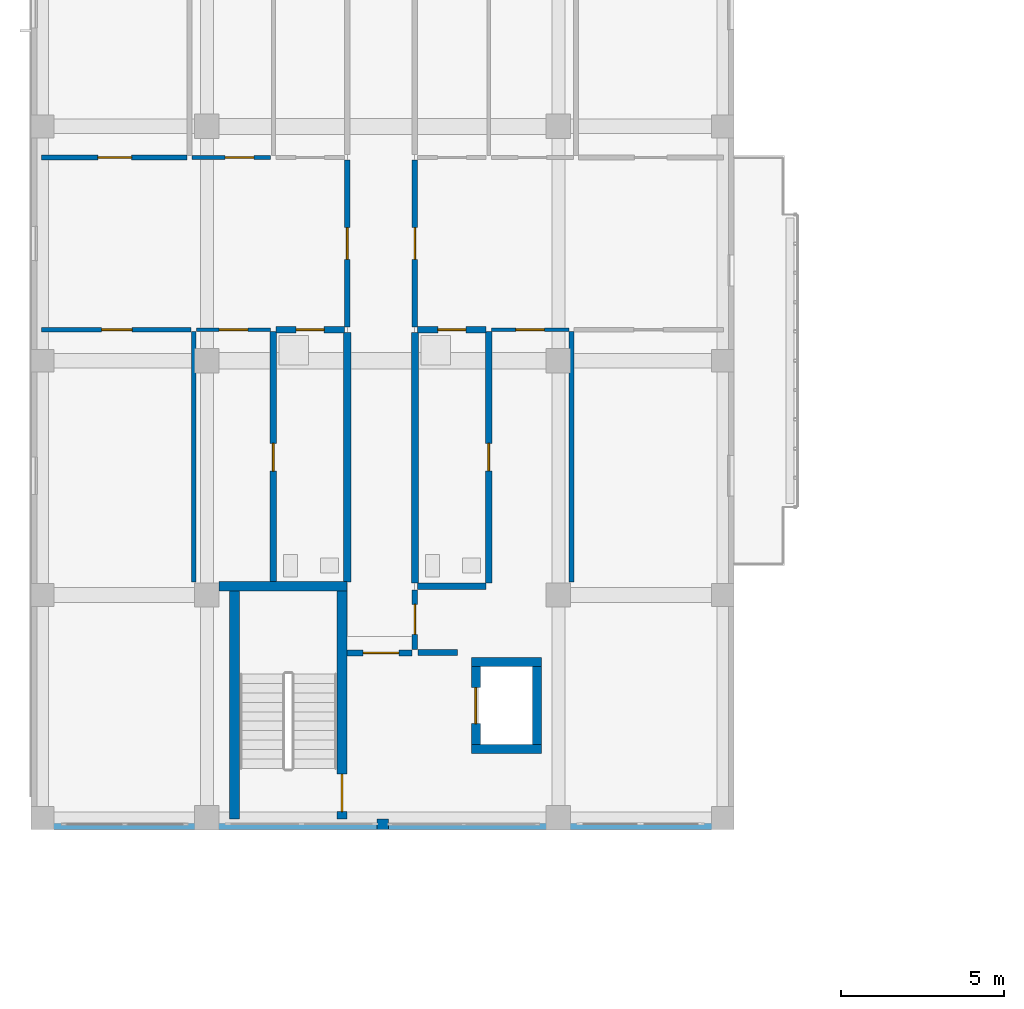
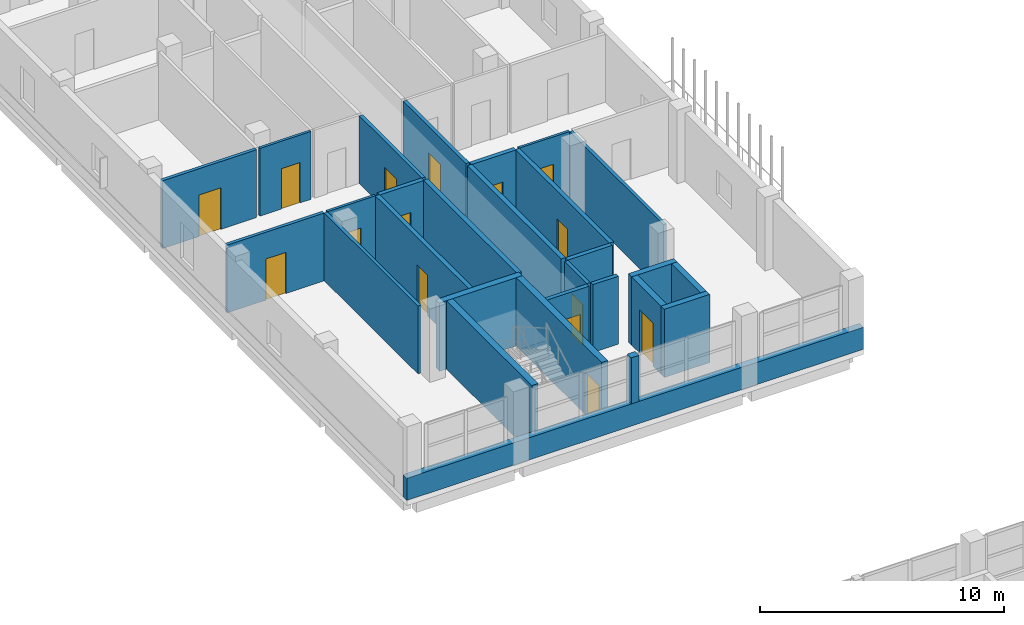
# One storey, part 41 of 73: 28 walls, 15 doors, 15 openings.
"""IFC4 building model written with IfcOpenShell, lengths in metres."""

from ifc_helpers import new_model, si_unit, derived_unit, direction, frame, frame_2d, origin, place, context, subcontext, project, spatial, rectangle, extrude, material, layer, layer_set, type_object, element, fill, save


model = new_model("IFC4")

# Units and contexts
model_context = context("Model", 3, precision=1e-05, world=origin(), true_north=direction((0.0, 1.0)))
body_context = subcontext(model_context, "Body", "Model", "MODEL_VIEW")
ifc_project = project(units=[si_unit("LENGTHUNIT", "METRE"), si_unit("AREAUNIT", "SQUARE_METRE"), si_unit("VOLUMEUNIT", "CUBIC_METRE"), si_unit("PLANEANGLEUNIT", "RADIAN"), si_unit("MASSUNIT", "GRAM", prefix="KILO"), derived_unit("THERMALTRANSMITTANCEUNIT", [(si_unit("MASSUNIT", "GRAM", prefix="KILO"), 1), (si_unit("TIMEUNIT", "SECOND"), -3), (si_unit("THERMODYNAMICTEMPERATUREUNIT", "KELVIN"), -1)])], contexts=[model_context])

# Site, building, storey
site_placement = place(None, origin())
site = spatial("IfcSite", under=ifc_project, at=site_placement, CompositionType="ELEMENT")
building_placement = place(site_placement, origin())
building = spatial("IfcBuilding", under=site, at=building_placement, Name="Ochrekiln Boulevard Commons", CompositionType="ELEMENT")
storey_placement = place(building_placement, frame((0.0, 0.0, 4.89990234375)))
storey = spatial("IfcBuildingStorey", under=building, at=storey_placement, Name="L01", CompositionType="ELEMENT", Elevation=4.89990234375)

# Walls
ifc_material_1 = material(Name="Desert ochre clinker brick masonry ASTM C216 Grade SW", Category="masonry")
ifc_layer_1 = layer(ifc_material_1, 0.320068359375)
ifc_layer_set_1 = layer_set([ifc_layer_1], Name="Desert ochre clinker brick masonry ASTM C216 Grade SW")
wall_type_1 = type_object("IfcWallType", Name="WL-EXT-OCHRE-320", PredefinedType="SOLIDWALL", material=ifc_layer_set_1)
wall_1_placement = place(storey_placement, frame((0.0, 68.56005859375, 0.0), z_axis=(0.0, 0.0, 1.0), x_axis=(1.0, 0.0, 0.0)))
element("IfcWall", 1, at=wall_1_placement, inside=storey, type_object=wall_type_1, Name="Block A L01 Courtyard Gable Sill Wall", PredefinedType="SOLIDWALL", context=body_context, shape_type="SweptSolid", body=[
    extrude(rectangle(XDim=21.60009765625, YDim=0.320068359375, at=frame_2d((10.800048828125, 0.0))), origin(), (0.0, 0.0, 1.0), 1.110107421875),
])
wall_2_placement = place(storey_placement, frame((10.6201171875, 68.56005859375, 1.110107421875), z_axis=(0.0, 0.0, 1.0), x_axis=(1.0, 0.0, 0.0)))
element("IfcWall", 2, at=wall_2_placement, inside=storey, type_object=wall_type_1, Name="Block A L01 Courtyard Gable Mullion Pier", PredefinedType="SOLIDWALL", context=body_context, shape_type="SweptSolid", body=[
    extrude(rectangle(XDim=0.35986328125, YDim=0.320068359375, at=frame_2d((0.179931640625, 0.0))), origin(), (0.0, 0.0, 1.0), 2.304931640625),
])
ifc_material_2 = material(Name="Moisture-resistant cementitious tile backer wall")
ifc_layer_2 = layer(ifc_material_2, 0.199951171875)
ifc_layer_set_2 = layer_set([ifc_layer_2], Name="Moisture-resistant cementitious tile backer wall")
wall_type_2 = type_object("IfcWallType", Name="WL-PLM-200", PredefinedType="PLUMBINGWALL", material=ifc_layer_set_2)
wall_3_placement = place(storey_placement, frame((11.8720703125, 75.875, 0.0), z_axis=(0.0, 0.0, 1.0), x_axis=(1.0, 0.0, 0.0)))
element("IfcWall", 3, at=wall_3_placement, inside=storey, type_object=wall_type_2, Name="L01 Interior Wall W-PW200", PredefinedType="PLUMBINGWALL", context=body_context, shape_type="SweptSolid", body=[
    extrude(rectangle(XDim=2.10791015625, YDim=0.199951171875, at=frame_2d((1.053955078125, 0.0))), origin(), (0.0, 0.0, 1.0), 3.39501953125),
])

# Wall, opening, door
wall_4_placement = place(storey_placement, frame((7.52001953125, 83.75, 0.0), z_axis=(0.0, 0.0, 1.0), x_axis=(1.0, 0.0, 0.0)))
wall_4 = element("IfcWall", 4, at=wall_4_placement, inside=storey, type_object=wall_type_2, Name="L01 Interior Wall W-PW200", PredefinedType="PLUMBINGWALL", context=body_context, shape_type="SweptSolid", body=[
    extrude(rectangle(XDim=2.10791015625, YDim=0.199951171875, at=frame_2d((1.053955078125, 0.0))), origin(), (0.0, 0.0, 1.0), 3.39501953125),
])
opening_1_placement = place(wall_4_placement, frame((0.6201171875, 0.0, 0.0)))
opening_1 = element("IfcOpeningElement", 5, at=opening_1_placement, cuts=wall_4, Name="Opening D-L01-155", PredefinedType="OPENING", context=body_context, shape_type="SweptSolid", body=[
    extrude(rectangle(XDim=0.860107421875, YDim=2.0, at=frame_2d((0.43017578125, 1.0))), frame((0.0, 0.10986328125, 0.0), z_axis=(0.0, -1.0, 0.0), x_axis=(1.0, 0.0, 0.0)), (0.0, 0.0, 1.0), 0.219970703125),
])
ifc_material_3 = material(Name="Solid core architectural oak door leaf")
door_type_1 = type_object("IfcDoorType", Name="DR-INT-BTH-086", OperationType="NOTDEFINED", PredefinedType="DOOR", material=ifc_material_3)
door_1_placement = place(opening_1_placement, frame((0.860107421875, 0.0, 0.0), z_axis=(0.0, 0.0, 1.0), x_axis=(-1.0, 0.0, 0.0)))
door_1 = element("IfcDoor", 6, at=door_1_placement, inside=storey, type_object=door_type_1, Name="L01 Interior Door to Accessible Apartment Bathroom", OperationType="SINGLE_SWING_LEFT", OverallHeight=2.0, OverallWidth=0.860107421875, PredefinedType="DOOR", context=body_context, shape_type="SweptSolid", body=[
    extrude(rectangle(XDim=0.860107421875, YDim=2.0, at=frame_2d((0.43017578125, 1.0))), frame((0.0, 0.02490234375, 0.0), z_axis=(0.0, -1.0, 0.0), x_axis=(1.0, 0.0, 0.0)), (0.0, 0.0, 1.0), 0.050048828125),
])
fill(opening_1, door_1)

wall_5_placement = place(storey_placement, frame((7.43994140625, 76.0, 0.0), z_axis=(0.0, 0.0, 1.0), x_axis=(0.0, 1.0, 0.0)))
wall_5 = element("IfcWall", 7, at=wall_5_placement, inside=storey, type_object=wall_type_2, Name="L01 Interior Wall W-PW200", PredefinedType="PLUMBINGWALL", context=body_context, shape_type="SweptSolid", body=[
    extrude(rectangle(XDim=7.68994140625, YDim=0.199951171875, at=frame_2d((3.844970703125, 0.0))), origin(), (0.0, 0.0, 1.0), 3.39501953125),
])
opening_2_placement = place(wall_5_placement, frame((3.409912109375, 0.0, 0.0)))
opening_2 = element("IfcOpeningElement", 8, at=opening_2_placement, cuts=wall_5, Name="Opening D-L01-161", PredefinedType="OPENING", context=body_context, shape_type="SweptSolid", body=[
    extrude(rectangle(XDim=0.85009765625, YDim=2.010009765625, at=frame_2d((0.425048828125, 1.0048828125))), frame((0.0, 0.10986328125, 0.0), z_axis=(0.0, -1.0, 0.0), x_axis=(1.0, 0.0, 0.0)), (0.0, 0.0, 1.0), 0.219970703125),
])
door_type_2 = type_object("IfcDoorType", Name="DR-INT-KIT-085", OperationType="NOTDEFINED", PredefinedType="DOOR", material=ifc_material_3)
door_2_placement = place(opening_2_placement, frame((0.85009765625, 0.0, 0.0), z_axis=(0.0, 0.0, 1.0), x_axis=(-1.0, 0.0, 0.0)))
door_2 = element("IfcDoor", 9, at=door_2_placement, inside=storey, type_object=door_type_2, Name="L01 Interior Door to Accessible Apartment Bathroom", OperationType="SINGLE_SWING_LEFT", OverallHeight=2.010009765625, OverallWidth=0.85009765625, PredefinedType="DOOR", context=body_context, shape_type="SweptSolid", body=[
    extrude(rectangle(XDim=0.85009765625, YDim=2.010009765625, at=frame_2d((0.425048828125, 1.0048828125))), frame((0.0, 0.02490234375, 0.0), z_axis=(0.0, -1.0, 0.0), x_axis=(1.0, 0.0, 0.0)), (0.0, 0.0, 1.0), 0.050048828125),
])
fill(opening_2, door_2)

wall_6_placement = place(storey_placement, frame((11.8720703125, 83.75, 0.0), z_axis=(0.0, 0.0, 1.0), x_axis=(1.0, 0.0, 0.0)))
wall_6 = element("IfcWall", 10, at=wall_6_placement, inside=storey, type_object=wall_type_2, Name="L01 Interior Wall W-PW200", PredefinedType="PLUMBINGWALL", context=body_context, shape_type="SweptSolid", body=[
    extrude(rectangle(XDim=2.10791015625, YDim=0.199951171875, at=frame_2d((1.053955078125, 0.0))), origin(), (0.0, 0.0, 1.0), 3.39501953125),
])
opening_3_placement = place(wall_6_placement, frame((0.6279296875, 0.0, 0.0)))
opening_3 = element("IfcOpeningElement", 11, at=opening_3_placement, cuts=wall_6, Name="Opening D-L01-166", PredefinedType="OPENING", context=body_context, shape_type="SweptSolid", body=[
    extrude(rectangle(XDim=0.860107421875, YDim=2.0, at=frame_2d((0.43017578125, 1.0))), frame((0.0, 0.10986328125, 0.0), z_axis=(0.0, -1.0, 0.0), x_axis=(1.0, 0.0, 0.0)), (0.0, 0.0, 1.0), 0.219970703125),
])
door_3_placement = place(opening_3_placement, frame((0.860107421875, 0.0, 0.0), z_axis=(0.0, 0.0, 1.0), x_axis=(-1.0, 0.0, 0.0)))
door_3 = element("IfcDoor", 12, at=door_3_placement, inside=storey, type_object=door_type_1, Name="L01 Interior Door to Apartment Bathroom", OperationType="SINGLE_SWING_RIGHT", OverallHeight=2.0, OverallWidth=0.860107421875, PredefinedType="DOOR", context=body_context, shape_type="SweptSolid", body=[
    extrude(rectangle(XDim=0.860107421875, YDim=2.0, at=frame_2d((0.43017578125, 1.0))), frame((0.0, 0.02490234375, 0.0), z_axis=(0.0, -1.0, 0.0), x_axis=(1.0, 0.0, 0.0)), (0.0, 0.0, 1.0), 0.050048828125),
])
fill(opening_3, door_3)

wall_7_placement = place(storey_placement, frame((14.06005859375, 75.97509765625, 0.0), z_axis=(0.0, 0.0, 1.0), x_axis=(0.0, 1.0, 0.0)))
wall_7 = element("IfcWall", 13, at=wall_7_placement, inside=storey, type_object=wall_type_2, Name="L01 Interior Wall W-PW200", PredefinedType="PLUMBINGWALL", context=body_context, shape_type="SweptSolid", body=[
    extrude(rectangle(XDim=7.71484375, YDim=0.199951171875, at=frame_2d((3.857421875, 0.0))), origin(), (0.0, 0.0, 1.0), 3.39501953125),
])
opening_4_placement = place(wall_7_placement, frame((3.43505859375, 0.0, 0.0)))
opening_4 = element("IfcOpeningElement", 14, at=opening_4_placement, cuts=wall_7, Name="Opening D-L01-172", PredefinedType="OPENING", context=body_context, shape_type="SweptSolid", body=[
    extrude(rectangle(XDim=0.85009765625, YDim=2.010009765625, at=frame_2d((0.425048828125, 1.0048828125))), frame((0.0, 0.10986328125, 0.0), z_axis=(0.0, -1.0, 0.0), x_axis=(1.0, 0.0, 0.0)), (0.0, 0.0, 1.0), 0.219970703125),
])
door_4_placement = place(opening_4_placement, origin())
door_4 = element("IfcDoor", 15, at=door_4_placement, inside=storey, type_object=door_type_2, Name="L01 Interior Door to Apartment Bathroom", OperationType="SINGLE_SWING_RIGHT", OverallHeight=2.010009765625, OverallWidth=0.85009765625, PredefinedType="DOOR", context=body_context, shape_type="SweptSolid", body=[
    extrude(rectangle(XDim=0.85009765625, YDim=2.010009765625, at=frame_2d((0.425048828125, 1.0048828125))), frame((0.0, 0.02490234375, 0.0), z_axis=(0.0, -1.0, 0.0), x_axis=(1.0, 0.0, 0.0)), (0.0, 0.0, 1.0), 0.050048828125),
])
fill(opening_4, door_4)

# Walls
ifc_layer_3 = layer(ifc_material_2, 0.219970703125)
ifc_layer_set_3 = layer_set([ifc_layer_3], Name="Moisture-resistant cementitious tile backer wall")
wall_type_3 = type_object("IfcWallType", Name="WL-PLM-220", PredefinedType="PLUMBINGWALL", material=ifc_layer_set_3)
wall_8_placement = place(storey_placement, frame((9.7099609375, 76.0, 0.0), z_axis=(0.0, 0.0, 1.0), x_axis=(0.0, 1.0, 0.0)))
element("IfcWall", 16, at=wall_8_placement, inside=storey, type_object=wall_type_3, Name="L01 Interior Wall W-PW220", PredefinedType="PLUMBINGWALL", context=body_context, shape_type="SweptSolid", body=[
    extrude(rectangle(XDim=7.669921875, YDim=0.219970703125, at=frame_2d((3.8349609375, 0.0))), origin(), (0.0, 0.0, 1.0), 3.39501953125),
])
wall_9_placement = place(storey_placement, frame((11.7900390625, 75.97509765625, 0.0), z_axis=(0.0, 0.0, 1.0), x_axis=(0.0, 1.0, 0.0)))
element("IfcWall", 17, at=wall_9_placement, inside=storey, type_object=wall_type_3, Name="L01 Interior Wall W-PW220", PredefinedType="PLUMBINGWALL", context=body_context, shape_type="SweptSolid", body=[
    extrude(rectangle(XDim=7.69482421875, YDim=0.219970703125, at=frame_2d((3.847412109375, 0.0))), origin(), (0.0, 0.0, 1.0), 3.39501953125),
])

# Wall, opening, door
ifc_material_4 = material(Name="Fire-rated Type X gypsum board on steel studs", Category="steel")
ifc_layer_4 = layer(ifc_material_4, 0.1650390625)
ifc_layer_set_4 = layer_set([ifc_layer_4], Name="Fire-rated Type X gypsum board on steel studs")
wall_type_4 = type_object("IfcWallType", Name="WL-PT-CORR-165", PredefinedType="PARTITIONING", material=ifc_layer_set_4)
wall_10_placement = place(storey_placement, frame((11.7900390625, 73.929931640625, 0.0), z_axis=(0.0, 0.0, 1.0), x_axis=(0.0, 1.0, 0.0)))
wall_10 = element("IfcWall", 18, at=wall_10_placement, inside=storey, type_object=wall_type_4, Name="L01 Interior Wall W-PC165", PredefinedType="PARTITIONING", context=body_context, shape_type="SweptSolid", body=[
    extrude(rectangle(XDim=1.820068359375, YDim=0.1650390625, at=frame_2d((0.91015625, 0.0))), origin(), (0.0, 0.0, 1.0), 3.39501953125),
])
opening_5_placement = place(wall_10_placement, frame((0.4599609375, 0.0, 0.0)))
opening_5 = element("IfcOpeningElement", 19, at=opening_5_placement, cuts=wall_10, Name="Opening D-L01-150", PredefinedType="OPENING", context=body_context, shape_type="SweptSolid", body=[
    extrude(rectangle(XDim=0.919921875, YDim=2.0400390625, at=frame_2d((0.4599609375, 1.02001953125))), frame((0.0, 0.092529296875, 0.0), z_axis=(0.0, -1.0, 0.0), x_axis=(1.0, 0.0, 0.0)), (0.0, 0.0, 1.0), 0.18505859375),
])
ifc_material_5 = material(Name="Hollow metal fire-rated steel door assembly", Category="steel")
door_type_3 = type_object("IfcDoorType", Name="DR-SRV-90", OperationType="NOTDEFINED", PredefinedType="DOOR", material=ifc_material_5)
door_5_placement = place(opening_5_placement, frame((0.919921875, 0.0, 0.0), z_axis=(0.0, 0.0, 1.0), x_axis=(-1.0, 0.0, 0.0)))
door_5 = element("IfcDoor", 20, at=door_5_placement, inside=storey, type_object=door_type_3, Name="L01 Interior Door to Hydronic and Electrical Riser Room", OperationType="SINGLE_SWING_RIGHT", OverallHeight=2.0400390625, OverallWidth=0.919921875, PredefinedType="DOOR", context=body_context, shape_type="SweptSolid", body=[
    extrude(rectangle(XDim=0.919921875, YDim=2.0400390625, at=frame_2d((0.4599609375, 1.02001953125))), frame((0.0, 0.02490234375, 0.0), z_axis=(0.0, -1.0, 0.0), x_axis=(1.0, 0.0, 0.0)), (0.0, 0.0, 1.0), 0.050048828125),
])
fill(opening_5, door_5)

wall_11_placement = place(storey_placement, frame((9.7099609375, 83.830078125, 0.0), z_axis=(0.0, 0.0, 1.0), x_axis=(0.0, 1.0, 0.0)))
wall_11 = element("IfcWall", 21, at=wall_11_placement, inside=storey, type_object=wall_type_4, Name="L01 Interior Wall W-PC165", PredefinedType="PARTITIONING", context=body_context, shape_type="SweptSolid", body=[
    extrude(rectangle(XDim=5.139892578125, YDim=0.1650390625, at=frame_2d((2.56982421875, 0.0))), origin(), (0.0, 0.0, 1.0), 3.39501953125),
])
opening_6_placement = place(wall_11_placement, frame((2.080078125, 0.0, 0.0)))
opening_6 = element("IfcOpeningElement", 22, at=opening_6_placement, cuts=wall_11, Name="Opening D-L01-151", PredefinedType="OPENING", context=body_context, shape_type="SweptSolid", body=[
    extrude(rectangle(XDim=0.97998046875, YDim=2.080078125, at=frame_2d((0.489990234375, 1.0400390625))), frame((0.0, 0.092529296875, 0.0), z_axis=(0.0, -1.0, 0.0), x_axis=(1.0, 0.0, 0.0)), (0.0, 0.0, 1.0), 0.18505859375),
])
door_type_4 = type_object("IfcDoorType", Name="DR-APT-60", OperationType="NOTDEFINED", PredefinedType="DOOR", material=ifc_material_3)
door_6_placement = place(opening_6_placement, origin())
door_6 = element("IfcDoor", 23, at=door_6_placement, inside=storey, type_object=door_type_4, Name="L01 Interior Door to Two-Bedroom Apartment Living Room", OperationType="SINGLE_SWING_LEFT", OverallHeight=2.080078125, OverallWidth=0.97998046875, PredefinedType="DOOR", context=body_context, shape_type="SweptSolid", body=[
    extrude(rectangle(XDim=0.97998046875, YDim=2.080078125, at=frame_2d((0.489990234375, 1.0400390625))), frame((0.0, 0.02490234375, 0.0), z_axis=(0.0, -1.0, 0.0), x_axis=(1.0, 0.0, 0.0)), (0.0, 0.0, 1.0), 0.050048828125),
])
fill(opening_6, door_6)

wall_12_placement = place(storey_placement, frame((11.7900390625, 83.830078125, 0.0), z_axis=(0.0, 0.0, 1.0), x_axis=(0.0, 1.0, 0.0)))
wall_12 = element("IfcWall", 24, at=wall_12_placement, inside=storey, type_object=wall_type_4, Name="L01 Interior Wall W-PC165", PredefinedType="PARTITIONING", context=body_context, shape_type="SweptSolid", body=[
    extrude(rectangle(XDim=5.139892578125, YDim=0.1650390625, at=frame_2d((2.56982421875, 0.0))), origin(), (0.0, 0.0, 1.0), 3.39501953125),
])
opening_7_placement = place(wall_12_placement, frame((2.080078125, 0.0, 0.0)))
opening_7 = element("IfcOpeningElement", 25, at=opening_7_placement, cuts=wall_12, Name="Opening D-L01-153", PredefinedType="OPENING", context=body_context, shape_type="SweptSolid", body=[
    extrude(rectangle(XDim=0.97998046875, YDim=2.080078125, at=frame_2d((0.489990234375, 1.0400390625))), frame((0.0, 0.092529296875, 0.0), z_axis=(0.0, -1.0, 0.0), x_axis=(1.0, 0.0, 0.0)), (0.0, 0.0, 1.0), 0.18505859375),
])
door_7_placement = place(opening_7_placement, frame((0.97998046875, 0.0, 0.0), z_axis=(0.0, 0.0, 1.0), x_axis=(-1.0, 0.0, 0.0)))
door_7 = element("IfcDoor", 26, at=door_7_placement, inside=storey, type_object=door_type_4, Name="L01 Interior Door to Two-Bedroom Apartment Living Room", OperationType="SINGLE_SWING_LEFT", OverallHeight=2.080078125, OverallWidth=0.97998046875, PredefinedType="DOOR", context=body_context, shape_type="SweptSolid", body=[
    extrude(rectangle(XDim=0.97998046875, YDim=2.080078125, at=frame_2d((0.489990234375, 1.0400390625))), frame((0.0, 0.02490234375, 0.0), z_axis=(0.0, -1.0, 0.0), x_axis=(1.0, 0.0, 0.0)), (0.0, 0.0, 1.0), 0.050048828125),
])
fill(opening_7, door_7)

# Wall
ifc_layer_5 = layer(ifc_material_4, 0.18994140625)
ifc_layer_set_5 = layer_set([ifc_layer_5], Name="Fire-rated Type X gypsum board on steel studs")
wall_type_5 = type_object("IfcWallType", Name="WL-PT-LBY-190", PredefinedType="PARTITIONING", material=ifc_layer_set_5)
wall_13_placement = place(storey_placement, frame((11.8798828125, 73.8349609375, 0.0), z_axis=(0.0, 0.0, 1.0), x_axis=(1.0, 0.0, 0.0)))
element("IfcWall", 27, at=wall_13_placement, inside=storey, type_object=wall_type_5, Name="L01 Interior Wall W-PL190", PredefinedType="PARTITIONING", context=body_context, shape_type="SweptSolid", body=[
    extrude(rectangle(XDim=1.22021484375, YDim=0.18994140625, at=frame_2d((0.610107421875, 0.0))), origin(), (0.0, 0.0, 1.0), 3.39501953125),
])

# Wall, opening, door
wall_14_placement = place(storey_placement, frame((9.699951171875, 73.820068359375, 0.0), z_axis=(0.0, 0.0, 1.0), x_axis=(1.0, 0.0, 0.0)))
wall_14 = element("IfcWall", 28, at=wall_14_placement, inside=storey, type_object=wall_type_5, Name="L01 Interior Wall W-PL190", PredefinedType="PARTITIONING", context=body_context, shape_type="SweptSolid", body=[
    extrude(rectangle(XDim=2.0, YDim=0.18994140625, at=frame_2d((1.0, 0.0))), origin(), (0.0, 0.0, 1.0), 3.39501953125),
])
opening_8_placement = place(wall_14_placement, frame((0.5, 0.0, 0.0)))
opening_8 = element("IfcOpeningElement", 29, at=opening_8_placement, cuts=wall_14, Name="Opening D-L01-148", PredefinedType="OPENING", context=body_context, shape_type="SweptSolid", body=[
    extrude(rectangle(XDim=1.10009765625, YDim=2.1201171875, at=frame_2d((0.550048828125, 1.06005859375))), frame((0.0, 0.10498046875, 0.0), z_axis=(0.0, -1.0, 0.0), x_axis=(1.0, 0.0, 0.0)), (0.0, 0.0, 1.0), 0.2099609375),
])
door_type_5 = type_object("IfcDoorType", Name="DR-LOBBY-60", OperationType="NOTDEFINED", PredefinedType="DOOR", material=ifc_material_5)
door_8_placement = place(opening_8_placement, frame((1.10009765625, 0.0, 0.0), z_axis=(0.0, 0.0, 1.0), x_axis=(-1.0, 0.0, 0.0)))
door_8 = element("IfcDoor", 30, at=door_8_placement, inside=storey, type_object=door_type_5, Name="L01 Interior Door to Fire Service Access Elevator Lobby", OperationType="SINGLE_SWING_RIGHT", OverallHeight=2.1201171875, OverallWidth=1.10009765625, PredefinedType="DOOR", context=body_context, shape_type="SweptSolid", body=[
    extrude(rectangle(XDim=1.10009765625, YDim=2.1201171875, at=frame_2d((0.550048828125, 1.06005859375))), frame((0.0, 0.02490234375, 0.0), z_axis=(0.0, -1.0, 0.0), x_axis=(1.0, 0.0, 0.0)), (0.0, 0.0, 1.0), 0.050048828125),
])
fill(opening_8, door_8)

ifc_layer_6 = layer(ifc_material_4, 0.1201171875)
ifc_layer_set_6 = layer_set([ifc_layer_6], Name="Fire-rated Type X gypsum board on steel studs")
wall_type_6 = type_object("IfcWallType", Name="WL-PT-LGT-120", PredefinedType="PARTITIONING", material=ifc_layer_set_6)
wall_15_placement = place(storey_placement, frame((5.072998046875, 83.75, 0.0), z_axis=(0.0, 0.0, 1.0), x_axis=(1.0, 0.0, 0.0)))
wall_15 = element("IfcWall", 31, at=wall_15_placement, inside=storey, type_object=wall_type_6, Name="L01 Interior Wall W-PL120", PredefinedType="PARTITIONING", context=body_context, shape_type="SweptSolid", body=[
    extrude(rectangle(XDim=2.287109375, YDim=0.1201171875, at=frame_2d((1.1435546875, 0.0))), origin(), (0.0, 0.0, 1.0), 3.39501953125),
])
opening_9_placement = place(wall_15_placement, frame((0.702880859375, 0.0, 0.0)))
opening_9 = element("IfcOpeningElement", 32, at=opening_9_placement, cuts=wall_15, Name="Opening D-L01-158", PredefinedType="OPENING", context=body_context, shape_type="SweptSolid", body=[
    extrude(rectangle(XDim=0.8798828125, YDim=2.02001953125, at=frame_2d((0.43994140625, 1.010009765625))), frame((0.0, 0.070068359375, 0.0), z_axis=(0.0, -1.0, 0.0), x_axis=(1.0, 0.0, 0.0)), (0.0, 0.0, 1.0), 0.14013671875),
])
door_type_6 = type_object("IfcDoorType", Name="DR-INT-KIT-088", OperationType="NOTDEFINED", PredefinedType="DOOR", material=ifc_material_3)
door_9_placement = place(opening_9_placement, frame((0.8798828125, 0.0, 0.0), z_axis=(0.0, 0.0, 1.0), x_axis=(-1.0, 0.0, 0.0)))
door_9 = element("IfcDoor", 33, at=door_9_placement, inside=storey, type_object=door_type_6, Name="L01 Interior Door to Apartment Walk-In Wardrobe", OperationType="SINGLE_SWING_RIGHT", OverallHeight=2.02001953125, OverallWidth=0.8798828125, PredefinedType="DOOR", context=body_context, shape_type="SweptSolid", body=[
    extrude(rectangle(XDim=0.8798828125, YDim=2.02001953125, at=frame_2d((0.43994140625, 1.010009765625))), frame((0.0, 0.02490234375, 0.0), z_axis=(0.0, -1.0, 0.0), x_axis=(1.0, 0.0, 0.0)), (0.0, 0.0, 1.0), 0.050048828125),
])
fill(opening_9, door_9)

wall_16_placement = place(storey_placement, frame((4.93994140625, 89.050048828125, 0.0), z_axis=(0.0, 0.0, 1.0), x_axis=(1.0, 0.0, 0.0)))
wall_16 = element("IfcWall", 34, at=wall_16_placement, inside=storey, type_object=wall_type_6, Name="L01 Interior Wall W-PL120", PredefinedType="PARTITIONING", context=body_context, shape_type="SweptSolid", body=[
    extrude(rectangle(XDim=2.420166015625, YDim=0.1201171875, at=frame_2d((1.2099609375, 0.0))), origin(), (0.0, 0.0, 1.0), 3.39501953125),
])
opening_10_placement = place(wall_16_placement, frame((1.02001953125, 0.0, 0.0)))
opening_10 = element("IfcOpeningElement", 35, at=opening_10_placement, cuts=wall_16, Name="Opening D-L01-160", PredefinedType="OPENING", context=body_context, shape_type="SweptSolid", body=[
    extrude(rectangle(XDim=0.8798828125, YDim=2.02001953125, at=frame_2d((0.43994140625, 1.010009765625))), frame((0.0, 0.070068359375, 0.0), z_axis=(0.0, -1.0, 0.0), x_axis=(1.0, 0.0, 0.0)), (0.0, 0.0, 1.0), 0.14013671875),
])
door_10_placement = place(opening_10_placement, origin())
door_10 = element("IfcDoor", 36, at=door_10_placement, inside=storey, type_object=door_type_6, Name="L01 Interior Door to Apartment Walk-In Wardrobe", OperationType="SINGLE_SWING_RIGHT", OverallHeight=2.02001953125, OverallWidth=0.8798828125, PredefinedType="DOOR", context=body_context, shape_type="SweptSolid", body=[
    extrude(rectangle(XDim=0.8798828125, YDim=2.02001953125, at=frame_2d((0.43994140625, 1.010009765625))), frame((0.0, 0.02490234375, 0.0), z_axis=(0.0, -1.0, 0.0), x_axis=(1.0, 0.0, 0.0)), (0.0, 0.0, 1.0), 0.050048828125),
])
fill(opening_10, door_10)

wall_17_placement = place(storey_placement, frame((14.139892578125, 83.75, 0.0), z_axis=(0.0, 0.0, 1.0), x_axis=(1.0, 0.0, 0.0)))
wall_17 = element("IfcWall", 37, at=wall_17_placement, inside=storey, type_object=wall_type_6, Name="L01 Interior Wall W-PL120", PredefinedType="PARTITIONING", context=body_context, shape_type="SweptSolid", body=[
    extrude(rectangle(XDim=2.38720703125, YDim=0.1201171875, at=frame_2d((1.193603515625, 0.0))), origin(), (0.0, 0.0, 1.0), 3.39501953125),
])
opening_11_placement = place(wall_17_placement, frame((0.75390625, 0.0, 0.0)))
opening_11 = element("IfcOpeningElement", 38, at=opening_11_placement, cuts=wall_17, Name="Opening D-L01-169", PredefinedType="OPENING", context=body_context, shape_type="SweptSolid", body=[
    extrude(rectangle(XDim=0.8798828125, YDim=2.02001953125, at=frame_2d((0.43994140625, 1.010009765625))), frame((0.0, 0.070068359375, 0.0), z_axis=(0.0, -1.0, 0.0), x_axis=(1.0, 0.0, 0.0)), (0.0, 0.0, 1.0), 0.14013671875),
])
door_11_placement = place(opening_11_placement, frame((0.8798828125, 0.0, 0.0), z_axis=(0.0, 0.0, 1.0), x_axis=(-1.0, 0.0, 0.0)))
door_11 = element("IfcDoor", 39, at=door_11_placement, inside=storey, type_object=door_type_6, Name="L01 Interior Door to Apartment Walk-In Wardrobe", OperationType="SINGLE_SWING_LEFT", OverallHeight=2.02001953125, OverallWidth=0.8798828125, PredefinedType="DOOR", context=body_context, shape_type="SweptSolid", body=[
    extrude(rectangle(XDim=0.8798828125, YDim=2.02001953125, at=frame_2d((0.43994140625, 1.010009765625))), frame((0.0, 0.02490234375, 0.0), z_axis=(0.0, -1.0, 0.0), x_axis=(1.0, 0.0, 0.0)), (0.0, 0.0, 1.0), 0.050048828125),
])
fill(opening_11, door_11)

ifc_layer_7 = layer(ifc_material_4, 0.14990234375)
ifc_layer_set_7 = layer_set([ifc_layer_7], Name="Fire-rated Type X gypsum board on steel studs")
wall_type_7 = type_object("IfcWallType", Name="WL-PT-STD-150", PredefinedType="PARTITIONING", material=ifc_layer_set_7)
wall_18_placement = place(storey_placement, frame((0.320068359375, 83.75, 0.0), z_axis=(0.0, 0.0, 1.0), x_axis=(1.0, 0.0, 0.0)))
wall_18 = element("IfcWall", 40, at=wall_18_placement, inside=storey, type_object=wall_type_7, Name="L01 Interior Wall W-PS150", PredefinedType="PARTITIONING", context=body_context, shape_type="SweptSolid", body=[
    extrude(rectangle(XDim=4.593017578125, YDim=0.14990234375, at=frame_2d((2.29638671875, 0.0))), origin(), (0.0, 0.0, 1.0), 3.39501953125),
])
opening_12_placement = place(wall_18_placement, frame((1.842041015625, 0.0, 0.0)))
opening_12 = element("IfcOpeningElement", 41, at=opening_12_placement, cuts=wall_18, Name="Opening D-L01-157", PredefinedType="OPENING", context=body_context, shape_type="SweptSolid", body=[
    extrude(rectangle(XDim=0.93994140625, YDim=2.06005859375, at=frame_2d((0.469970703125, 1.030029296875))), frame((0.0, 0.0849609375, 0.0), z_axis=(0.0, -1.0, 0.0), x_axis=(1.0, 0.0, 0.0)), (0.0, 0.0, 1.0), 0.169921875),
])
door_type_7 = type_object("IfcDoorType", Name="DR-INT-BED-094", OperationType="NOTDEFINED", PredefinedType="DOOR", material=ifc_material_3)
door_12_placement = place(opening_12_placement, frame((0.93994140625, 0.0, 0.0), z_axis=(0.0, 0.0, 1.0), x_axis=(-1.0, 0.0, 0.0)))
door_12 = element("IfcDoor", 42, at=door_12_placement, inside=storey, type_object=door_type_7, Name="L01 Interior Door to Primary Apartment Bedroom", OperationType="SINGLE_SWING_LEFT", OverallHeight=2.06005859375, OverallWidth=0.93994140625, PredefinedType="DOOR", context=body_context, shape_type="SweptSolid", body=[
    extrude(rectangle(XDim=0.93994140625, YDim=2.06005859375, at=frame_2d((0.469970703125, 1.030029296875))), frame((0.0, 0.02490234375, 0.0), z_axis=(0.0, -1.0, 0.0), x_axis=(1.0, 0.0, 0.0)), (0.0, 0.0, 1.0), 0.050048828125),
])
fill(opening_12, door_12)

wall_19_placement = place(storey_placement, frame((0.320068359375, 89.050048828125, 0.0), z_axis=(0.0, 0.0, 1.0), x_axis=(1.0, 0.0, 0.0)))
wall_19 = element("IfcWall", 43, at=wall_19_placement, inside=storey, type_object=wall_type_7, Name="L01 Interior Wall W-PS150", PredefinedType="PARTITIONING", context=body_context, shape_type="SweptSolid", body=[
    extrude(rectangle(XDim=4.4599609375, YDim=0.14990234375, at=frame_2d((2.22998046875, 0.0))), origin(), (0.0, 0.0, 1.0), 3.39501953125),
])
opening_13_placement = place(wall_19_placement, frame((1.72509765625, 0.0, 0.0)))
opening_13 = element("IfcOpeningElement", 44, at=opening_13_placement, cuts=wall_19, Name="Opening D-L01-159", PredefinedType="OPENING", context=body_context, shape_type="SweptSolid", body=[
    extrude(rectangle(XDim=1.0400390625, YDim=2.080078125, at=frame_2d((0.52001953125, 1.0400390625))), frame((0.0, 0.0849609375, 0.0), z_axis=(0.0, -1.0, 0.0), x_axis=(1.0, 0.0, 0.0)), (0.0, 0.0, 1.0), 0.169921875),
])
door_type_8 = type_object("IfcDoorType", Name="DR-INT-BED-104", OperationType="NOTDEFINED", PredefinedType="DOOR", material=ifc_material_3)
door_13_placement = place(opening_13_placement, origin())
door_13 = element("IfcDoor", 45, at=door_13_placement, inside=storey, type_object=door_type_8, Name="L01 Interior Door to Secondary Apartment Bedroom", OperationType="SINGLE_SWING_LEFT", OverallHeight=2.080078125, OverallWidth=1.0400390625, PredefinedType="DOOR", context=body_context, shape_type="SweptSolid", body=[
    extrude(rectangle(XDim=1.0400390625, YDim=2.080078125, at=frame_2d((0.52001953125, 1.0400390625))), frame((0.0, 0.02490234375, 0.0), z_axis=(0.0, -1.0, 0.0), x_axis=(1.0, 0.0, 0.0)), (0.0, 0.0, 1.0), 0.050048828125),
])
fill(opening_13, door_13)

# Walls
for number, where, z_axis, x_axis, name in (
    (46, (4.992919921875, 76.0, 0.0), (0.0, 0.0, 1.0), (0.0, 1.0, 0.0), "L01 Interior Wall W-PS150"),
    (47, (16.60693359375, 76.0, 0.0), (0.0, 0.0, 1.0), (0.0, 1.0, 0.0), "L01 Interior Wall W-PS150"),
):
    element("IfcWall", number, at=place(storey_placement, frame(where, z_axis=z_axis, x_axis=x_axis)), inside=storey, type_object=wall_type_7, Name=name, PredefinedType="PARTITIONING", context=body_context, shape_type="SweptSolid", body=[
        extrude(rectangle(XDim=7.68994140625, YDim=0.14990234375, at=frame_2d((3.844970703125, 0.0))), origin(), (0.0, 0.0, 1.0), 3.39501953125),
    ])
ifc_material_6 = material(Name="Concrete C40/50", Category="concrete")
ifc_layer_8 = layer(ifc_material_6, 0.27490234375)
ifc_layer_set_8 = layer_set([ifc_layer_8], Name="Concrete C40/50")
wall_type_8 = type_object("IfcWallType", Name="WL-SH-275", PredefinedType="SHEAR", material=ifc_layer_set_8)
for number, where, z_axis, x_axis, name in (
    (48, (13.52490234375, 70.862548828125, 0.0), (0.0, 0.0, 1.0), (1.0, 0.0, 0.0), "Elevator FF-A1 L01 Hoistway Shear Wall"),
    (49, (13.52490234375, 73.53759765625, 0.0), (0.0, 0.0, 1.0), (1.0, 0.0, 0.0), "Elevator FF-A1 L01 Hoistway Shear Wall"),
):
    element("IfcWall", number, at=place(storey_placement, frame(where, z_axis=z_axis, x_axis=x_axis)), inside=storey, type_object=wall_type_8, Name=name, PredefinedType="SHEAR", context=body_context, shape_type="SweptSolid", body=[
        extrude(rectangle(XDim=2.150146484375, YDim=0.27490234375, at=frame_2d((1.0751953125, 0.0))), origin(), (0.0, 0.0, 1.0), 3.4150390625),
    ])

# Wall, opening, door
wall_20_placement = place(storey_placement, frame((13.66259765625, 71.0, 0.0), z_axis=(0.0, 0.0, 1.0), x_axis=(0.0, 1.0, 0.0)))
wall_20 = element("IfcWall", 50, at=wall_20_placement, inside=storey, type_object=wall_type_8, Name="Elevator FF-A1 L01 Hoistway Shear Wall", PredefinedType="SHEAR", context=body_context, shape_type="SweptSolid", body=[
    extrude(rectangle(XDim=2.39990234375, YDim=0.27490234375, at=frame_2d((1.199951171875, 0.0))), origin(), (0.0, 0.0, 1.0), 3.4150390625),
])
opening_14_placement = place(wall_20_placement, frame((0.64990234375, 0.0, 0.0)))
opening_14 = element("IfcOpeningElement", 51, at=opening_14_placement, cuts=wall_20, Name="Opening LD-FF-A1-L01", PredefinedType="OPENING", context=body_context, shape_type="SweptSolid", body=[
    extrude(rectangle(XDim=1.10009765625, YDim=2.14990234375, at=frame_2d((0.550048828125, 1.074951171875))), frame((0.0, 0.1474609375, 0.0), z_axis=(0.0, -1.0, 0.0), x_axis=(1.0, 0.0, 0.0)), (0.0, 0.0, 1.0), 0.294921875),
])
ifc_material_7 = material(Name="Brushed stainless steel 316 elevator cab and doors", Category="steel")
door_type_9 = type_object("IfcDoorType", Name="DR-LIFT-LD90", OperationType="SLIDING_TO_LEFT", PredefinedType="DOOR", material=ifc_material_7)
door_14_placement = place(opening_14_placement, origin())
door_14 = element("IfcDoor", 52, at=door_14_placement, inside=storey, type_object=door_type_9, Name="Elevator FF-A1 L01 Sliding Landing Door LD-FF-A1-L01", OperationType="SLIDING_TO_LEFT", OverallHeight=2.14990234375, OverallWidth=1.10009765625, PredefinedType="DOOR", context=body_context, shape_type="SweptSolid", body=[
    extrude(rectangle(XDim=1.10009765625, YDim=2.14990234375, at=frame_2d((0.550048828125, 1.074951171875))), frame((0.0, 0.02490234375, 0.0), z_axis=(0.0, -1.0, 0.0), x_axis=(1.0, 0.0, 0.0)), (0.0, 0.0, 1.0), 0.050048828125),
])
fill(opening_14, door_14)

# Walls
wall_21_placement = place(storey_placement, frame((15.53759765625, 71.0, 0.0), z_axis=(0.0, 0.0, 1.0), x_axis=(0.0, 1.0, 0.0)))
element("IfcWall", 53, at=wall_21_placement, inside=storey, type_object=wall_type_8, Name="Elevator FF-A1 L01 Hoistway Shear Wall", PredefinedType="SHEAR", context=body_context, shape_type="SweptSolid", body=[
    extrude(rectangle(XDim=2.39990234375, YDim=0.27490234375, at=frame_2d((1.199951171875, 0.0))), origin(), (0.0, 0.0, 1.0), 3.4150390625),
])
ifc_layer_9 = layer(ifc_material_6, 0.300048828125)
ifc_layer_set_9 = layer_set([ifc_layer_9], Name="Concrete C40/50")
wall_type_9 = type_object("IfcWallType", Name="WL-SH-300", PredefinedType="SHEAR", material=ifc_layer_set_9)
wall_22_placement = place(storey_placement, frame((5.77490234375, 75.8701171875, 0.0), z_axis=(0.0, 0.0, 1.0), x_axis=(1.0, 0.0, 0.0)))
element("IfcWall", 54, at=wall_22_placement, inside=storey, type_object=wall_type_9, Name="Stair ST-A1 L01 Core Shear Wall N", PredefinedType="SHEAR", context=body_context, shape_type="SweptSolid", body=[
    extrude(rectangle(XDim=3.925048828125, YDim=0.300048828125, at=frame_2d((1.96240234375, 0.0))), origin(), (0.0, 0.0, 1.0), 3.4150390625),
])
wall_23_placement = place(storey_placement, frame((6.25, 68.719970703125, 0.0), z_axis=(0.0, 0.0, 1.0), x_axis=(0.0, 1.0, 0.0)))
element("IfcWall", 55, at=wall_23_placement, inside=storey, type_object=wall_type_9, Name="Stair ST-A1 L01 Core Shear Wall W", PredefinedType="SHEAR", context=body_context, shape_type="SweptSolid", body=[
    extrude(rectangle(XDim=7.0, YDim=0.300048828125, at=frame_2d((3.5, 0.0))), origin(), (0.0, 0.0, 1.0), 3.4150390625),
])

# Wall, opening, door
wall_24_placement = place(storey_placement, frame((9.550048828125, 68.719970703125, 0.0), z_axis=(0.0, 0.0, 1.0), x_axis=(0.0, 1.0, 0.0)))
wall_24 = element("IfcWall", 56, at=wall_24_placement, inside=storey, type_object=wall_type_9, Name="Stair ST-A1 L01 Core Shear Wall E", PredefinedType="SHEAR", context=body_context, shape_type="SweptSolid", body=[
    extrude(rectangle(XDim=7.0, YDim=0.300048828125, at=frame_2d((3.5, 0.0))), origin(), (0.0, 0.0, 1.0), 3.4150390625),
])
opening_15_placement = place(wall_24_placement, frame((0.22509765625, 0.0, 0.0)))
opening_15 = element("IfcOpeningElement", 57, at=opening_15_placement, cuts=wall_24, Name="Opening D-L01-ST-A1", PredefinedType="OPENING", context=body_context, shape_type="SweptSolid", body=[
    extrude(rectangle(XDim=1.14990234375, YDim=2.1201171875, at=frame_2d((0.574951171875, 1.06005859375))), frame((0.0, 0.159912109375, 0.0), z_axis=(0.0, -1.0, 0.0), x_axis=(1.0, 0.0, 0.0)), (0.0, 0.0, 1.0), 0.320068359375),
])
door_type_10 = type_object("IfcDoorType", Name="DR-STAIR-90", OperationType="NOTDEFINED", PredefinedType="DOOR", material=ifc_material_5)
door_15_placement = place(opening_15_placement, origin())
door_15 = element("IfcDoor", 58, at=door_15_placement, inside=storey, type_object=door_type_10, Name="Enclosed Exit Stair ST-A1 L01 Rated Door", OperationType="SINGLE_SWING_LEFT", OverallHeight=2.1201171875, OverallWidth=1.14990234375, PredefinedType="DOOR", context=body_context, shape_type="SweptSolid", body=[
    extrude(rectangle(XDim=1.14990234375, YDim=2.1201171875, at=frame_2d((0.574951171875, 1.06005859375))), frame((0.0, 0.02490234375, 0.0), z_axis=(0.0, -1.0, 0.0), x_axis=(1.0, 0.0, 0.0)), (0.0, 0.0, 1.0), 0.050048828125),
])
fill(opening_15, door_15)

save(model, "model.ifc")
